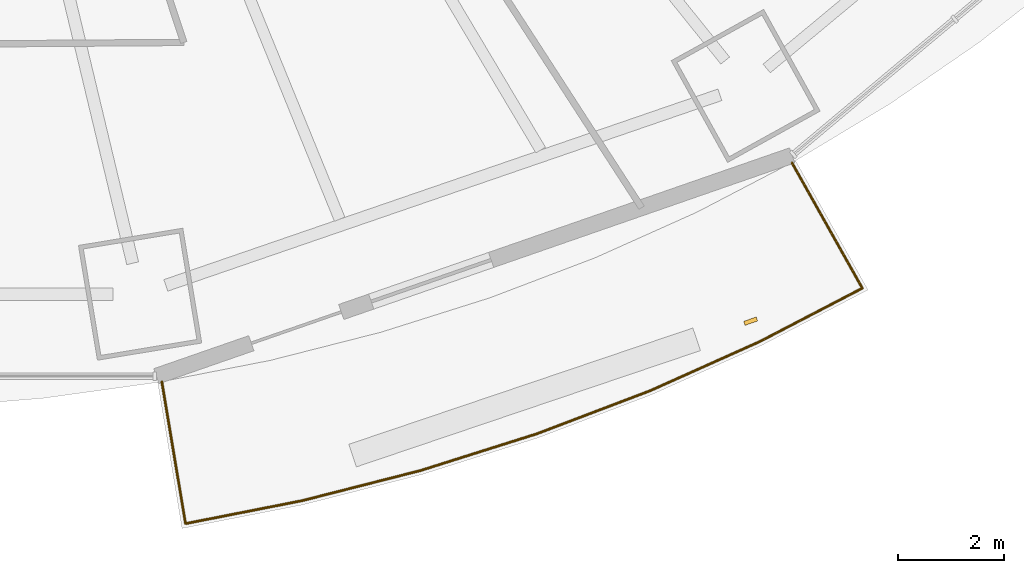
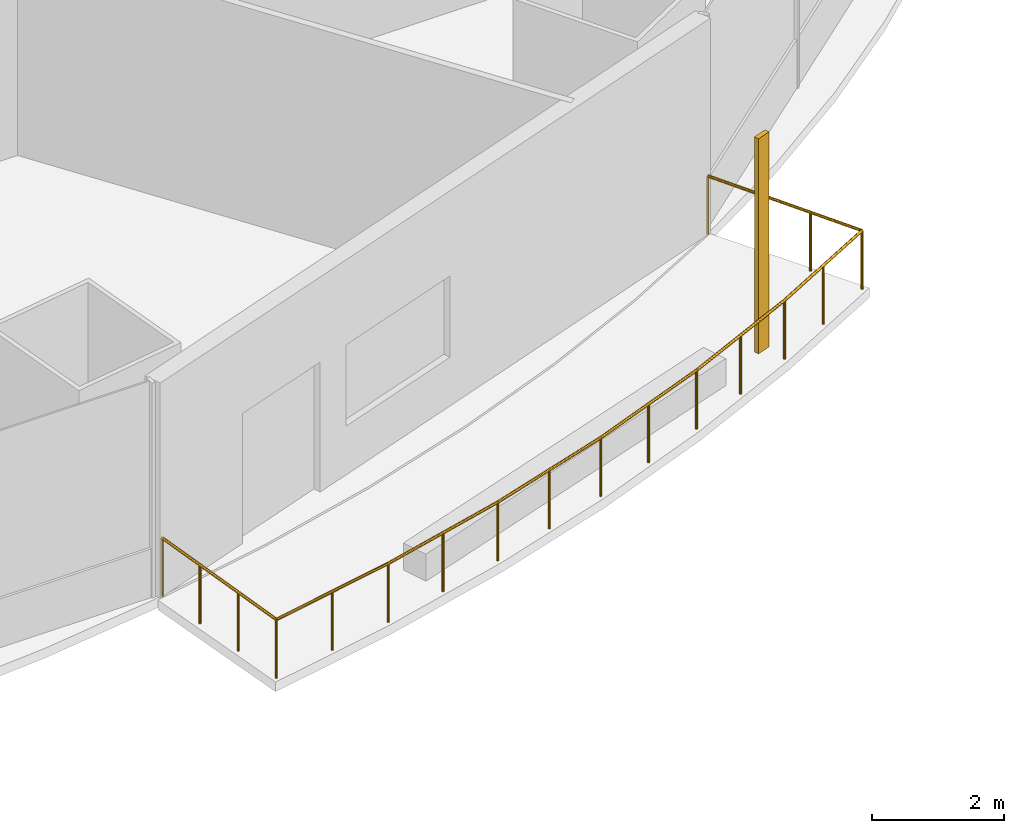
# One storey, part 17 of 20: 1 railing, 1 shading device.
"""IFC4 building model written with IfcOpenShell, lengths in metres."""

from ifc_helpers import new_model, si_unit, direction, frame, origin, origin_2d, place, context, subcontext, project, spatial, rectangle, circle, extrude, material, material_profile, profile_set, type_object, element, save


model = new_model("IFC4")

# Units and contexts
model_context = context("Model", 3, precision=1e-05, world=origin(), true_north=direction((0.0, 1.0)))
body_context = subcontext(model_context, "Body", "Model", "MODEL_VIEW")
ifc_project = project(units=[si_unit("LENGTHUNIT", "METRE"), si_unit("AREAUNIT", "SQUARE_METRE"), si_unit("VOLUMEUNIT", "CUBIC_METRE"), si_unit("PLANEANGLEUNIT", "RADIAN"), si_unit("MASSUNIT", "GRAM", prefix="KILO")], contexts=[model_context])

# Site, building, storey
site_placement = place(None, origin())
site = spatial("IfcSite", under=ifc_project, at=site_placement, CompositionType="ELEMENT")
building_placement = place(site_placement, origin())
building = spatial("IfcBuilding", under=site, at=building_placement, Name="Marenthal Gate Tower", CompositionType="ELEMENT")
storey_placement = place(building_placement, frame((0.0, 0.0, 136.75)))
storey = spatial("IfcBuildingStorey", under=building, at=storey_placement, Name="L29", CompositionType="ELEMENT", Elevation=136.75)

# Railing
ifc_material_1 = material(Name="Stainless steel", Category="steel")
railing_type = type_object("IfcRailingType", Name="Balcony guard 1100", PredefinedType="GUARDRAIL", material=ifc_material_1)
railing_placement = place(storey_placement, frame((18.520751953125, -23.38427734375, 0.0)))
element("IfcRailing", 1, at=railing_placement, inside=storey, type_object=railing_type, Name="Balcony guard L29 bay 13", PredefinedType="GUARDRAIL", context=body_context, shape_type="SweptSolid", body=[
    extrude(circle(Radius=0.02392578125, at=origin_2d()), frame((0.0, 0.0, 1.076171875), z_axis=(0.489304532784, -0.871988782196, -0.014718624977), x_axis=(0.872083250464, 0.489357542356, 0.0)), (0.0, 0.0, 1.0), 2.72021484375),
    extrude(circle(Radius=0.02392578125, at=origin_2d()), frame((1.3310546875, -2.3720703125, 1.0361328125), z_axis=(-0.887053580422, -0.461666487261, 0.0), x_axis=(0.461666487261, -0.887053580422, 0.0)), (0.0, 0.0, 1.0), 2.180419921875),
    extrude(circle(Radius=0.02392578125, at=origin_2d()), frame((-0.60302734375, -3.378662109375, 1.0361328125), z_axis=(-0.912426484208, -0.409240651591, 0.0), x_axis=(0.409240651591, -0.912426484208, 0.0)), (0.0, 0.0, 1.0), 2.276611328125),
    extrude(circle(Radius=0.02392578125, at=origin_2d()), frame((-2.68017578125, -4.310302734375, 1.0361328125), z_axis=(-0.934725540452, -0.355370460261, 0.0), x_axis=(0.355370460261, -0.934725540452, 0.0)), (0.0, 0.0, 1.0), 2.291259765625),
    extrude(circle(Radius=0.02392578125, at=origin_2d()), frame((-4.82177734375, -5.12451171875, 1.0361328125), z_axis=(-0.953555439672, -0.301217568332, 0.0), x_axis=(0.301217568332, -0.953555439672, 0.0)), (0.0, 0.0, 1.0), 2.30419921875),
    extrude(circle(Radius=0.02392578125, at=origin_2d()), frame((-7.01904296875, -5.818603515625, 1.0361328125), z_axis=(-0.969110463154, -0.246627067057, 0.0), x_axis=(0.246627067057, -0.969110463154, 0.0)), (0.0, 0.0, 1.0), 2.3154296875),
    extrude(circle(Radius=0.02392578125, at=origin_2d()), frame((-9.262939453125, -6.3896484375, 1.0361328125), z_axis=(-0.981190742026, -0.193040741199, 0.0), x_axis=(0.193040741199, -0.981190742026, 0.0)), (0.0, 0.0, 1.0), 2.244873046875),
    extrude(circle(Radius=0.02392578125, at=origin_2d()), frame((-11.465576171875, -6.822998046875, 1.0361328125), z_axis=(-0.164774109377, 0.986221507592, 0.014718384498), x_axis=(-0.986328347949, -0.164791959854, 0.0)), (0.0, 0.0, 1.0), 2.720458984375),
    extrude(circle(Radius=0.02099609375, at=origin_2d()), origin(), (0.0, 0.0, 1.0), 1.052001953125),
    extrude(circle(Radius=0.02099609375, at=origin_2d()), frame((0.443603515625, -0.790771484375, -0.013427734375)), (0.0, 0.0, 1.0), 1.052001953125),
    extrude(circle(Radius=0.02099609375, at=origin_2d()), frame((0.887451171875, -1.581298828125, -0.026611328125)), (0.0, 0.0, 1.0), 1.052001953125),
    extrude(circle(Radius=0.02099609375, at=origin_2d()), frame((1.3310546875, -2.3720703125, -0.0400390625)), (0.0, 0.0, 1.0), 1.052001953125),
    extrude(circle(Radius=0.02099609375, at=origin_2d()), frame((0.364013671875, -2.87548828125, -0.0400390625)), (0.0, 0.0, 1.0), 1.052001953125),
    extrude(circle(Radius=0.02099609375, at=origin_2d()), frame((-0.60302734375, -3.378662109375, -0.0400390625)), (0.0, 0.0, 1.0), 1.052001953125),
    extrude(circle(Radius=0.02099609375, at=origin_2d()), frame((-1.6416015625, -3.844482421875, -0.0400390625)), (0.0, 0.0, 1.0), 1.052001953125),
    extrude(circle(Radius=0.02099609375, at=origin_2d()), frame((-2.68017578125, -4.310302734375, -0.0400390625)), (0.0, 0.0, 1.0), 1.052001953125),
    extrude(circle(Radius=0.02099609375, at=origin_2d()), frame((-3.7509765625, -4.71728515625, -0.0400390625)), (0.0, 0.0, 1.0), 1.052001953125),
    extrude(circle(Radius=0.02099609375, at=origin_2d()), frame((-4.82177734375, -5.12451171875, -0.0400390625)), (0.0, 0.0, 1.0), 1.052001953125),
    extrude(circle(Radius=0.02099609375, at=origin_2d()), frame((-5.92041015625, -5.4716796875, -0.0400390625)), (0.0, 0.0, 1.0), 1.052001953125),
    extrude(circle(Radius=0.02099609375, at=origin_2d()), frame((-7.01904296875, -5.818603515625, -0.0400390625)), (0.0, 0.0, 1.0), 1.052001953125),
    extrude(circle(Radius=0.02099609375, at=origin_2d()), frame((-8.14111328125, -6.10400390625, -0.0400390625)), (0.0, 0.0, 1.0), 1.052001953125),
    extrude(circle(Radius=0.02099609375, at=origin_2d()), frame((-9.262939453125, -6.3896484375, -0.0400390625)), (0.0, 0.0, 1.0), 1.052001953125),
    extrude(circle(Radius=0.02099609375, at=origin_2d()), frame((-10.3642578125, -6.6064453125, -0.0400390625)), (0.0, 0.0, 1.0), 1.052001953125),
    extrude(circle(Radius=0.02099609375, at=origin_2d()), frame((-11.465576171875, -6.822998046875, -0.0400390625)), (0.0, 0.0, 1.0), 1.052001953125),
    extrude(circle(Radius=0.02099609375, at=origin_2d()), frame((-11.614990234375, -5.9287109375, -0.026611328125)), (0.0, 0.0, 1.0), 1.052001953125),
    extrude(circle(Radius=0.02099609375, at=origin_2d()), frame((-11.764404296875, -5.034423828125, -0.013427734375)), (0.0, 0.0, 1.0), 1.052001953125),
    extrude(circle(Radius=0.02099609375, at=origin_2d()), frame((-11.913818359375, -4.14013671875, 0.0)), (0.0, 0.0, 1.0), 1.052001953125),
])

# Shading device
ifc_material_2 = material(Name="Terracotta", Category="masonry")
ifc_material_profile = material_profile(ifc_material_2, rectangle(XDim=0.25, YDim=0.080078125, at=origin_2d()), Name="Terracotta baguette 250x80")
ifc_profile_set = profile_set([ifc_material_profile], Name="Terracotta")
shading_device_type = type_object("IfcShadingDeviceType", Name="Terracotta BAGUETTE SCREEN 250x80", PredefinedType="USERDEFINED", material=ifc_profile_set)
shading_device_placement = place(storey_placement, frame((17.740478515625, -26.37939453125, -0.0400390625), z_axis=(0.0, 0.0, 1.0), x_axis=(0.944551667682, 0.328362828405, 0.0)))
element("IfcShadingDevice", 2, at=shading_device_placement, inside=storey, type_object=shading_device_type, Name="Terracotta BAGUETTE L29 bay 13R", ObjectType="BAGUETTE SCREEN", PredefinedType="USERDEFINED", context=body_context, shape_type="SweptSolid", body=[
    extrude(rectangle(XDim=0.25, YDim=0.080078125, at=origin_2d()), origin(), (0.0, 0.0, 1.0), 3.969970703125),
])

save(model, "model.ifc")
